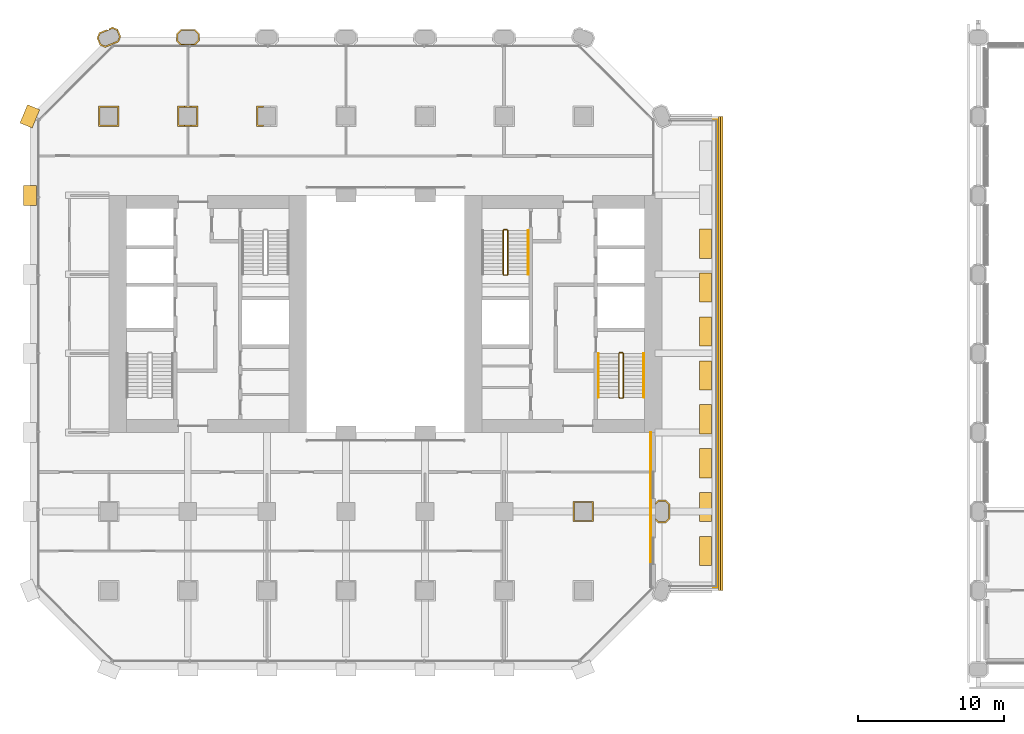
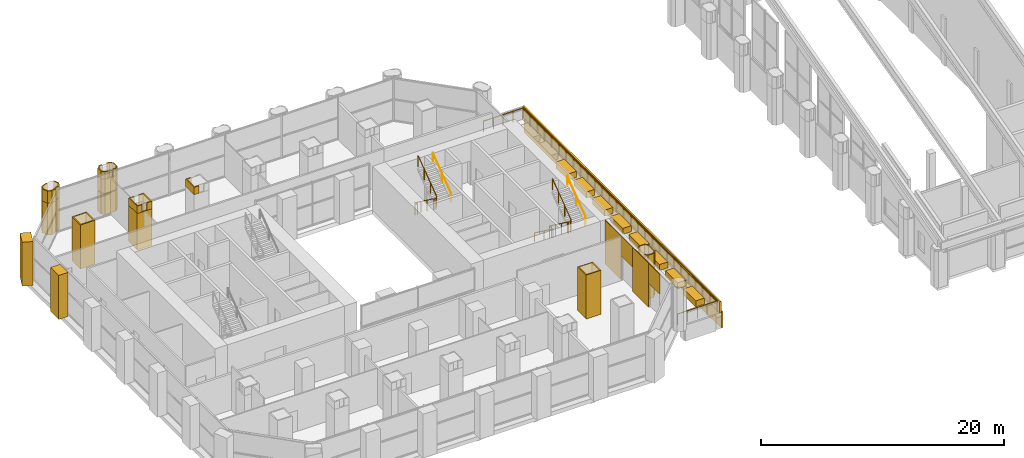
# One storey, part 37 of 42: 29 coverings, 6 railings.
"""IFC4 building model written with IfcOpenShell, lengths in metres."""

import ifcopenshell
import ifcopenshell.guid

model = None  # the IFC model being written
_history = None  # IfcOwnerHistory: only IFC2X3 demands one
_inside = {}  # id of a spatial element -> (the spatial element, [elements in it])
_under = {}  # id of a project, library or spatial element -> (it, [spatial elements below it])
_declared = {}  # id of a project -> (the project, [libraries it declares])
_typed = {}  # id of a type object -> (the type object, [elements of that type])
_made_of = {}  # id of a material, layer set ... -> (it, [elements and type objects made of it])


def new_model(schema):
    """Start an empty IFC model of exactly this schema.

    Asked for "IFC4X3", IfcOpenShell would pick the latest addendum, in which some entities
    have other attributes; the version numbers below select the first issue.
    IFC2X3 requires an IfcOwnerHistory on every rooted entity: one is made here for all.
    """
    global model, _history
    if schema == "IFC4X3":
        model = ifcopenshell.file(schema_version=(4, 3, 0, 0))
    else:
        model = ifcopenshell.file(schema=schema)
    _inside.clear()
    _under.clear()
    _declared.clear()
    _typed.clear()
    _made_of.clear()
    _history = None
    if model.schema == "IFC2X3":
        org = make("IfcOrganization", Name="unknown")
        user = make(
            "IfcPersonAndOrganization",
            ThePerson=make("IfcPerson", FamilyName="unknown"),
            TheOrganization=org,
        )
        app = make(
            "IfcApplication",
            ApplicationDeveloper=org,
            Version="unknown",
            ApplicationFullName="unknown",
            ApplicationIdentifier="unknown",
        )
        _history = make(
            "IfcOwnerHistory",
            OwningUser=user,
            OwningApplication=app,
            ChangeAction="ADDED",
            CreationDate=0,
        )
    return model


def make(cls, **values):
    """One entity of the class cls with the attributes given. An attribute that is None is left unset."""
    return model.create_entity(
        cls, **{name: value for name, value in values.items() if value is not None}
    )


def rooted(cls, **values):
    """An entity with a GlobalId (a new one), such as an element, a storey or a relation."""
    return make(cls, GlobalId=ifcopenshell.guid.new(), OwnerHistory=_history, **values)


def si_unit(unit_type, name, prefix=None):
    """IfcSIUnit, for example si_unit("LENGTHUNIT", "METRE", prefix="MILLI")."""
    return make("IfcSIUnit", UnitType=unit_type, Prefix=prefix, Name=name)


def assignment(units):
    """IfcUnitAssignment: the units of a project."""
    return None if units is None else make("IfcUnitAssignment", Units=units)


def point(xyz):
    """IfcCartesianPoint."""
    return None if xyz is None else make("IfcCartesianPoint", Coordinates=xyz)


def direction(xyz):
    """IfcDirection."""
    return None if xyz is None else make("IfcDirection", DirectionRatios=xyz)


def frame(location, z_axis=None, x_axis=None):
    """IfcAxis2Placement3D, a coordinate frame: its origin and axes. An axis left out is left unset."""
    return make(
        "IfcAxis2Placement3D",
        Location=point(location),
        Axis=direction(z_axis),
        RefDirection=direction(x_axis),
    )


def frame_2d(location, x_axis=None):
    """IfcAxis2Placement2D, a coordinate frame in the plane: its origin and x axis."""
    return make(
        "IfcAxis2Placement2D", Location=point(location), RefDirection=direction(x_axis)
    )


def origin():
    """The frame at (0, 0, 0) with its axes left unset."""
    return frame((0.0, 0.0, 0.0))


def origin_2d():
    """The frame at (0, 0) in the plane with its x axis left unset."""
    return frame_2d((0.0, 0.0))


def place(relative_to, where):
    """IfcLocalPlacement: puts the frame where relative to a parent placement (None: the world)."""
    return make(
        "IfcLocalPlacement", PlacementRelTo=relative_to, RelativePlacement=where
    )


def context(
    kind, dimensions, precision=None, world=None, true_north=None, identifier=None
):
    """IfcGeometricRepresentationContext, for example the 3D "Model" context."""
    return make(
        "IfcGeometricRepresentationContext",
        ContextIdentifier=identifier,
        ContextType=kind,
        CoordinateSpaceDimension=dimensions,
        Precision=precision,
        WorldCoordinateSystem=world,
        TrueNorth=true_north,
    )


def subcontext(parent, identifier, kind, view, scale=None):
    """IfcGeometricRepresentationSubContext, for example "Body" below "Model"."""
    return make(
        "IfcGeometricRepresentationSubContext",
        ContextIdentifier=identifier,
        ContextType=kind,
        ParentContext=parent,
        TargetScale=scale,
        TargetView=view,
    )


def project(units=None, contexts=None):
    """IfcProject with its units and contexts."""
    return rooted(
        "IfcProject",
        Name="project",
        RepresentationContexts=contexts,
        UnitsInContext=assignment(units),
    )


def spatial(cls, under=None, at=None, **own):
    """A site, building, storey or space (cls), placed at a placement, below another one or the project."""
    s = rooted(cls, ObjectPlacement=at, **own)
    if under is not None:
        _under.setdefault(under.id(), (under, []))[1].append(s)
    return s


def polyline(points):
    """IfcPolyline through the points."""
    return make("IfcPolyline", Points=[point(p) for p in points])


def profile(cls, at=None, kind="AREA", **sizes):
    """A parametric profile (cls). Its sizes go by their IFC names, for example OverallWidth=200.0."""
    return make(cls, ProfileType=kind, Position=at, **sizes)


def rectangle(**sizes):
    """IfcRectangleProfileDef."""
    return profile("IfcRectangleProfileDef", **sizes)


def circle(**sizes):
    """IfcCircleProfileDef."""
    return profile("IfcCircleProfileDef", **sizes)


def outline(outer, holes=None, kind="AREA"):
    """IfcArbitraryClosedProfileDef: a profile drawn as a closed curve; with holes, ...WithVoids."""
    if holes is None:
        return make("IfcArbitraryClosedProfileDef", ProfileType=kind, OuterCurve=outer)
    return make(
        "IfcArbitraryProfileDefWithVoids",
        ProfileType=kind,
        OuterCurve=outer,
        InnerCurves=holes,
    )


def extrude(swept, where, along, depth):
    """IfcExtrudedAreaSolid: the profile swept, set in the frame where, extruded along a direction by depth."""
    return make(
        "IfcExtrudedAreaSolid",
        SweptArea=swept,
        Position=where,
        ExtrudedDirection=direction(along),
        Depth=depth,
    )


def shape(context_of_items, identifier, shape_type, items):
    """IfcShapeRepresentation: the items that make up one representation, for example the "Body"."""
    return make(
        "IfcShapeRepresentation",
        ContextOfItems=context_of_items,
        RepresentationIdentifier=identifier,
        RepresentationType=shape_type,
        Items=items,
    )


def material(Name=None, Category=None):
    """IfcMaterial."""
    return make("IfcMaterial", Name=Name, Category=Category)


def layer(
    of_material, thickness, ventilated=None, Name=None, Category=None, Priority=None
):
    """IfcMaterialLayer: one layer of a wall or slab, of a material (None: an air gap)."""
    return make(
        "IfcMaterialLayer",
        Material=of_material,
        LayerThickness=thickness,
        IsVentilated=ventilated,
        Name=Name,
        Category=Category,
        Priority=Priority,
    )


def layer_set(layers, Name=None):
    """IfcMaterialLayerSet."""
    return make("IfcMaterialLayerSet", MaterialLayers=layers, LayerSetName=Name)


def made_of(thing, what):
    """Note that an element or type object is made of a material, layer set ...; save() writes the relation."""
    if what is not None:
        _made_of.setdefault(what.id(), (what, []))[1].append(thing)
    return thing


def type_object(cls, material=None, **own):
    """A type object (cls), such as IfcWallType, which elements share."""
    return made_of(rooted(cls, **own), material)


def element(
    cls,
    number,
    at=None,
    inside=None,
    cuts=None,
    type_object=None,
    material=None,
    context=None,
    identifier="Body",
    shape_type=None,
    held_by="IfcProductDefinitionShape",
    body=None,
    shapes=None,
    **own,
):
    """One element of the class cls, such as IfcWall. Its Tag is "e" and its number.

    at: its placement. inside: the storey or other place that contains it. cuts: it is an
    opening in that element (IfcRelVoidsElement). A single representation is given by context,
    identifier, shape_type and body (its items); several are given by shapes. held_by: the class
    of the entity that holds the representations. save() writes the other relations.
    """
    e = rooted(cls, Tag="e%d" % number, ObjectPlacement=at, **own)
    if body is not None:
        shapes = [shape(context, identifier, shape_type, body)]
    if shapes is not None:
        e.Representation = make(held_by, Representations=shapes)
    if inside is not None:
        _inside.setdefault(inside.id(), (inside, []))[1].append(e)
    if cuts is not None:
        rooted(
            "IfcRelVoidsElement", RelatingBuildingElement=cuts, RelatedOpeningElement=e
        )
    if type_object is not None:
        _typed.setdefault(type_object.id(), (type_object, []))[1].append(e)
    return made_of(e, material)


def aggregate(whole, parts):
    """IfcRelAggregates: a whole, such as a stair, and the parts it consists of."""
    return rooted("IfcRelAggregates", RelatingObject=whole, RelatedObjects=parts)


def save(model, path):
    """Write the relations noted so far, then the file.

    IfcRelAggregates (storeys below a building ...), IfcRelContainedInSpatialStructure (elements
    in a storey), IfcRelDefinesByType, IfcRelAssociatesMaterial and IfcRelDeclares: one each for
    every whole, place, type object, material and project.
    """
    for whole, parts in _under.values():
        aggregate(whole, parts)
    for where, things in _inside.values():
        rooted(
            "IfcRelContainedInSpatialStructure",
            RelatedElements=things,
            RelatingStructure=where,
        )
    for kind, things in _typed.values():
        rooted("IfcRelDefinesByType", RelatedObjects=things, RelatingType=kind)
    for what, things in _made_of.values():
        rooted("IfcRelAssociatesMaterial", RelatedObjects=things, RelatingMaterial=what)
    for by, libraries in _declared.values():
        rooted("IfcRelDeclares", RelatingContext=by, RelatedDefinitions=libraries)
    model.write(path)


model = new_model("IFC4")

# Units and contexts
model_context = context("Model", 3, precision=1e-05, world=origin(), true_north=direction((0.0, 1.0)))
body_context = subcontext(model_context, "Body", "Model", "MODEL_VIEW")
ifc_project = project(units=[si_unit("LENGTHUNIT", "METRE"), si_unit("AREAUNIT", "SQUARE_METRE"), si_unit("VOLUMEUNIT", "CUBIC_METRE"), si_unit("PLANEANGLEUNIT", "RADIAN"), si_unit("MASSUNIT", "GRAM", prefix="KILO")], contexts=[model_context])

# Site, building, storey
site_placement = place(None, origin())
site = spatial("IfcSite", under=ifc_project, at=site_placement, CompositionType="ELEMENT")
building_placement = place(site_placement, origin())
building = spatial("IfcBuilding", under=site, at=building_placement, Name="Tabaq Tower and Sports Hall", CompositionType="ELEMENT")
storey_placement = place(building_placement, frame((0.0, 0.0, 19.800048828125)))
storey = spatial("IfcBuildingStorey", under=building, at=storey_placement, Name="L03", CompositionType="ELEMENT", Elevation=19.800048828125)

# Coverings
ifc_material_1 = material(Name="Precast concrete C60/75", Category="concrete")
ifc_layer_1 = layer(ifc_material_1, 0.10009765625)
ifc_layer_set_1 = layer_set([ifc_layer_1], Name="Column cladding 100")
covering_type_1 = type_object("IfcCoveringType", Name="Column cladding 100", PredefinedType="CLADDING", material=ifc_layer_set_1)
covering_1_placement = place(storey_placement, origin())
element("IfcCovering", 1, at=covering_1_placement, inside=storey, type_object=covering_type_1, Name="Column cladding L03 CC-2H-P", PredefinedType="CLADDING", context=body_context, shape_type="SweptSolid", body=[
    extrude(outline(polyline([(4.7001953125, 38.499755859375), (6.099609375, 38.499755859375), (6.099609375, 37.100341796875), (4.7001953125, 37.100341796875), (4.7001953125, 38.499755859375)]), holes=[polyline([(6.000244140625, 37.19970703125), (6.000244140625, 38.400390625), (4.7998046875, 38.400390625), (4.7998046875, 37.19970703125), (6.000244140625, 37.19970703125)])]), origin(), (0.0, 0.0, 1.0), 4.39990234375),
])
covering_2_placement = place(storey_placement, origin())
element("IfcCovering", 2, at=covering_2_placement, inside=storey, type_object=covering_type_1, Name="Column cladding L03 PC-2I-P", PredefinedType="CLADDING", context=body_context, shape_type="SweptSolid", body=[
    extrude(outline(polyline([(4.582275390625, 43.149658203125), (4.73583984375, 43.519775390625), (5.248291015625, 43.732177734375), (5.249755859375, 43.69677734375), (5.249755859375, 43.696533203125), (5.400390625, 43.696533203125), (5.400390625, 43.795166015625), (5.6435546875, 43.895751953125), (6.013916015625, 43.742431640625), (6.217529296875, 43.25048828125), (6.064208984375, 42.880126953125), (5.60595703125, 42.690185546875), (5.586181640625, 42.690185546875), (5.586181640625, 42.68212890625), (5.156494140625, 42.504150390625), (4.7861328125, 42.657470703125), (4.582275390625, 43.149658203125)]), holes=[polyline([(6.110107421875, 43.25048828125), (5.937744140625, 43.66650390625), (5.6435546875, 43.788330078125), (4.811767578125, 43.44384765625), (4.68994140625, 43.149658203125), (4.8623046875, 42.733642578125), (5.156494140625, 42.61181640625), (5.98828125, 42.956298828125), (6.110107421875, 43.25048828125)])]), origin(), (0.0, 0.0, 1.0), 3.199951171875),
])
covering_3_placement = place(storey_placement, frame((0.0, 0.0, 3.199951171875)))
element("IfcCovering", 3, at=covering_3_placement, inside=storey, type_object=covering_type_1, Name="Column cladding L03 PC-2I-P head", PredefinedType="CLADDING", context=body_context, shape_type="SweptSolid", body=[
    extrude(outline(polyline([(4.73583984375, 43.519775390625), (5.248291015625, 43.732177734375), (5.249755859375, 43.69677734375), (5.249755859375, 43.696533203125), (5.399658203125, 43.696533203125), (5.399658203125, 43.687255859375), (4.811767578125, 43.44384765625), (4.68994140625, 43.149658203125), (4.8623046875, 42.733642578125), (5.156494140625, 42.61181640625), (5.98828125, 42.956298828125), (6.110107421875, 43.25048828125), (5.944580078125, 43.649658203125), (6.000244140625, 43.649658203125), (6.000244140625, 43.748046875), (6.013916015625, 43.742431640625), (6.217529296875, 43.25048828125), (6.064208984375, 42.880126953125), (5.60595703125, 42.690185546875), (5.586181640625, 42.690185546875), (5.586181640625, 42.68212890625), (5.156494140625, 42.504150390625), (4.7861328125, 42.657470703125), (4.582275390625, 43.149658203125), (4.73583984375, 43.519775390625)])), origin(), (0.0, 0.0, 1.0), 1.199951171875),
])
covering_4_placement = place(storey_placement, origin())
element("IfcCovering", 4, at=covering_4_placement, inside=storey, type_object=covering_type_1, Name="Column cladding L03 CC-3H-P", PredefinedType="CLADDING", context=body_context, shape_type="SweptSolid", body=[
    extrude(outline(polyline([(10.100341796875, 38.499755859375), (11.499755859375, 38.499755859375), (11.499755859375, 37.100341796875), (10.100341796875, 37.100341796875), (10.100341796875, 38.499755859375)]), holes=[polyline([(11.400390625, 37.19970703125), (11.400390625, 38.400390625), (10.19970703125, 38.400390625), (10.19970703125, 37.19970703125), (11.400390625, 37.19970703125)])]), origin(), (0.0, 0.0, 1.0), 3.64990234375),
])
covering_5_placement = place(storey_placement, frame((0.0, 0.0, 3.64990234375)))
element("IfcCovering", 5, at=covering_5_placement, inside=storey, type_object=covering_type_1, Name="Column cladding L03 CC-3H-P head", PredefinedType="CLADDING", context=body_context, shape_type="SweptSolid", body=[
    extrude(outline(polyline([(10.57470703125, 38.499755859375), (10.57470703125, 38.400390625), (10.19970703125, 38.400390625), (10.19970703125, 37.19970703125), (10.57470703125, 37.19970703125), (10.57470703125, 37.100341796875), (10.100341796875, 37.100341796875), (10.100341796875, 38.499755859375), (10.57470703125, 38.499755859375)])), origin(), (0.0, 0.0, 1.0), 0.75),
])
covering_6_placement = place(storey_placement, frame((0.0, 0.0, 3.64990234375)))
element("IfcCovering", 6, at=covering_6_placement, inside=storey, type_object=covering_type_1, Name="Column cladding L03 CC-3H-P head 2", PredefinedType="CLADDING", context=body_context, shape_type="SweptSolid", body=[
    extrude(outline(polyline([(11.499755859375, 38.499755859375), (11.499755859375, 37.100341796875), (11.025390625, 37.100341796875), (11.025390625, 37.19970703125), (11.400390625, 37.19970703125), (11.400390625, 38.400390625), (11.025390625, 38.400390625), (11.025390625, 38.499755859375), (11.499755859375, 38.499755859375)])), origin(), (0.0, 0.0, 1.0), 0.75),
])
covering_7_placement = place(storey_placement, frame((0.0, 0.0, 0.1025390625)))
element("IfcCovering", 7, at=covering_7_placement, inside=storey, type_object=covering_type_1, Name="Column cladding L03 PC-3I-P", PredefinedType="CLADDING", context=body_context, shape_type="SweptSolid", body=[
    extrude(outline(polyline([(10.025390625, 43.46630859375), (10.30859375, 43.749755859375), (11.291259765625, 43.749755859375), (11.57470703125, 43.46630859375), (11.57470703125, 42.93359375), (11.331298828125, 42.690185546875), (10.268798828125, 42.690185546875), (10.025390625, 42.93359375), (10.025390625, 43.46630859375)]), holes=[polyline([(11.475341796875, 42.974853515625), (11.475341796875, 43.425048828125), (11.250244140625, 43.650390625), (10.349853515625, 43.650390625), (10.124755859375, 43.425048828125), (10.124755859375, 42.974853515625), (10.349853515625, 42.749755859375), (11.250244140625, 42.749755859375), (11.475341796875, 42.974853515625)])]), origin(), (0.0, 0.0, 1.0), 2.06494140625),
])
covering_8_placement = place(storey_placement, frame((0.0, 0.0, 2.232421875)))
element("IfcCovering", 8, at=covering_8_placement, inside=storey, type_object=covering_type_1, Name="Column cladding L03 PC-3I-P 2", PredefinedType="CLADDING", context=body_context, shape_type="SweptSolid", body=[
    extrude(outline(polyline([(10.025390625, 43.46630859375), (10.30859375, 43.749755859375), (11.291259765625, 43.749755859375), (11.57470703125, 43.46630859375), (11.57470703125, 42.93359375), (11.331298828125, 42.690185546875), (10.268798828125, 42.690185546875), (10.025390625, 42.93359375), (10.025390625, 43.46630859375)]), holes=[polyline([(11.475341796875, 42.974853515625), (11.475341796875, 43.425048828125), (11.250244140625, 43.650390625), (10.349853515625, 43.650390625), (10.124755859375, 43.425048828125), (10.124755859375, 42.974853515625), (10.349853515625, 42.749755859375), (11.250244140625, 42.749755859375), (11.475341796875, 42.974853515625)])]), origin(), (0.0, 0.0, 1.0), 1.41748046875),
])
covering_9_placement = place(storey_placement, frame((0.0, 0.0, 3.64990234375)))
element("IfcCovering", 9, at=covering_9_placement, inside=storey, type_object=covering_type_1, Name="Column cladding L03 PC-3I-P head", PredefinedType="CLADDING", context=body_context, shape_type="SweptSolid", body=[
    extrude(outline(polyline([(10.30859375, 43.749755859375), (10.57470703125, 43.749755859375), (10.57470703125, 43.650390625), (10.349853515625, 43.650390625), (10.124755859375, 43.425048828125), (10.124755859375, 42.974853515625), (10.349853515625, 42.749755859375), (10.57470703125, 42.749755859375), (10.57470703125, 42.690185546875), (10.268798828125, 42.690185546875), (10.025390625, 42.93359375), (10.025390625, 43.46630859375), (10.30859375, 43.749755859375)])), origin(), (0.0, 0.0, 1.0), 0.75),
])
covering_10_placement = place(storey_placement, frame((0.0, 0.0, 3.64990234375)))
element("IfcCovering", 10, at=covering_10_placement, inside=storey, type_object=covering_type_1, Name="Column cladding L03 PC-3I-P head 2", PredefinedType="CLADDING", context=body_context, shape_type="SweptSolid", body=[
    extrude(outline(polyline([(11.291259765625, 43.749755859375), (11.57470703125, 43.46630859375), (11.57470703125, 42.93359375), (11.331298828125, 42.690185546875), (11.025390625, 42.690185546875), (11.025390625, 42.749755859375), (11.250244140625, 42.749755859375), (11.475341796875, 42.974853515625), (11.475341796875, 43.425048828125), (11.250244140625, 43.650390625), (11.025390625, 43.650390625), (11.025390625, 43.749755859375), (11.291259765625, 43.749755859375)])), origin(), (0.0, 0.0, 1.0), 0.75),
])
covering_11_placement = place(storey_placement, frame((0.0, 0.0, 3.64990234375)))
element("IfcCovering", 11, at=covering_11_placement, inside=storey, type_object=covering_type_1, Name="Column cladding L03 CC-4H-P head 2", PredefinedType="CLADDING", context=body_context, shape_type="SweptSolid", body=[
    extrude(outline(polyline([(15.974609375, 38.499755859375), (15.974609375, 38.400390625), (15.599609375, 38.400390625), (15.599609375, 37.19970703125), (15.974609375, 37.19970703125), (15.974609375, 37.100341796875), (15.500244140625, 37.100341796875), (15.500244140625, 38.499755859375), (15.974609375, 38.499755859375)])), origin(), (0.0, 0.0, 1.0), 0.75),
])
covering_12_placement = place(storey_placement, origin())
element("IfcCovering", 12, at=covering_12_placement, inside=storey, type_object=covering_type_1, Name="Column cladding L03 CC-8C-P", PredefinedType="CLADDING", context=body_context, shape_type="SweptSolid", body=[
    extrude(outline(polyline([(37.100341796875, 11.499755859375), (38.499755859375, 11.499755859375), (38.499755859375, 10.100341796875), (37.100341796875, 10.100341796875), (37.100341796875, 11.499755859375)]), holes=[polyline([(38.400390625, 10.19970703125), (38.400390625, 11.400390625), (37.19970703125, 11.400390625), (37.19970703125, 10.19970703125), (38.400390625, 10.19970703125)])]), origin(), (0.0, 0.0, 1.0), 4.39990234375),
])
covering_13_placement = place(storey_placement, origin())
element("IfcCovering", 13, at=covering_13_placement, inside=storey, type_object=covering_type_1, Name="Column cladding L03 PC-9C-P", PredefinedType="CLADDING", context=body_context, shape_type="SweptSolid", body=[
    extrude(outline(polyline([(42.93359375, 10.025390625), (42.750244140625, 10.208740234375), (42.750244140625, 10.349365234375), (42.974853515625, 10.124755859375), (43.425048828125, 10.124755859375), (43.650390625, 10.349853515625), (43.650390625, 11.250244140625), (43.425048828125, 11.475341796875), (42.974853515625, 11.475341796875), (42.750244140625, 11.250732421875), (42.750244140625, 11.391357421875), (42.93359375, 11.57470703125), (43.46630859375, 11.57470703125), (43.749755859375, 11.291259765625), (43.749755859375, 10.30859375), (43.46630859375, 10.025390625), (42.93359375, 10.025390625)])), origin(), (0.0, 0.0, 1.0), 4.39990234375),
])

# Railing
ifc_material_2 = material(Name="Stainless steel S316 and laminated glass", Category="steel")
railing_type_1 = type_object("IfcRailingType", Name="Guard 1100 steel and glass", PredefinedType="GUARDRAIL", material=ifc_material_2)
railing_1_placement = place(storey_placement, frame((43.199951171875, 5.64990234375, 0.0)))
element("IfcRailing", 14, at=railing_1_placement, inside=storey, type_object=railing_type_1, Name="Tray guard L03", PredefinedType="GUARDRAIL", context=body_context, shape_type="SweptSolid", body=[
    extrude(circle(Radius=0.02490234375, at=origin_2d()), frame((0.0, 0.0, 1.0751953125), z_axis=(1.0, 0.0, 0.0), x_axis=(0.0, 1.0, 0.0)), (0.0, 0.0, 1.0), 3.75),
    extrude(circle(Radius=0.02490234375, at=origin_2d()), frame((3.75, 0.0, 1.0751953125), z_axis=(0.0, 1.0, 0.0), x_axis=(-1.0, 0.0, 0.0)), (0.0, 0.0, 1.0), 31.900146484375),
    extrude(circle(Radius=0.02490234375, at=origin_2d()), frame((3.75, 31.900146484375, 1.0751953125), z_axis=(-1.0, 0.0, 0.0), x_axis=(0.0, -1.0, 0.0)), (0.0, 0.0, 1.0), 3.75),
    extrude(circle(Radius=0.02001953125, at=origin_2d()), origin(), (0.0, 0.0, 1.0), 1.050048828125),
    extrude(circle(Radius=0.02001953125, at=origin_2d()), frame((0.9375, 0.0, 0.0)), (0.0, 0.0, 1.0), 1.050048828125),
    extrude(circle(Radius=0.02001953125, at=origin_2d()), frame((1.875, 0.0, 0.0)), (0.0, 0.0, 1.0), 1.050048828125),
    extrude(circle(Radius=0.02001953125, at=origin_2d()), frame((2.8125, 0.0, 0.0)), (0.0, 0.0, 1.0), 1.050048828125),
    extrude(circle(Radius=0.02001953125, at=origin_2d()), frame((3.75, 0.0, 0.0)), (0.0, 0.0, 1.0), 1.050048828125),
    extrude(circle(Radius=0.02001953125, at=origin_2d()), frame((3.75, 1.181396484375, 0.0)), (0.0, 0.0, 1.0), 1.050048828125),
    extrude(circle(Radius=0.02001953125, at=origin_2d()), frame((3.75, 2.363037109375, 0.0)), (0.0, 0.0, 1.0), 1.050048828125),
    extrude(circle(Radius=0.02001953125, at=origin_2d()), frame((3.75, 3.54443359375, 0.0)), (0.0, 0.0, 1.0), 1.050048828125),
    extrude(circle(Radius=0.02001953125, at=origin_2d()), frame((3.75, 4.725830078125, 0.0)), (0.0, 0.0, 1.0), 1.050048828125),
    extrude(circle(Radius=0.02001953125, at=origin_2d()), frame((3.75, 5.907470703125, 0.0)), (0.0, 0.0, 1.0), 1.050048828125),
    extrude(circle(Radius=0.02001953125, at=origin_2d()), frame((3.75, 7.0888671875, 0.0)), (0.0, 0.0, 1.0), 1.050048828125),
    extrude(circle(Radius=0.02001953125, at=origin_2d()), frame((3.75, 8.2705078125, 0.0)), (0.0, 0.0, 1.0), 1.050048828125),
    extrude(circle(Radius=0.02001953125, at=origin_2d()), frame((3.75, 9.451904296875, 0.0)), (0.0, 0.0, 1.0), 1.050048828125),
    extrude(circle(Radius=0.02001953125, at=origin_2d()), frame((3.75, 10.63330078125, 0.0)), (0.0, 0.0, 1.0), 1.050048828125),
    extrude(circle(Radius=0.02001953125, at=origin_2d()), frame((3.75, 11.81494140625, 0.0)), (0.0, 0.0, 1.0), 1.050048828125),
    extrude(circle(Radius=0.02001953125, at=origin_2d()), frame((3.75, 12.996337890625, 0.0)), (0.0, 0.0, 1.0), 1.050048828125),
    extrude(circle(Radius=0.02001953125, at=origin_2d()), frame((3.75, 14.177734375, 0.0)), (0.0, 0.0, 1.0), 1.050048828125),
    extrude(circle(Radius=0.02001953125, at=origin_2d()), frame((3.75, 15.359375, 0.0)), (0.0, 0.0, 1.0), 1.050048828125),
    extrude(circle(Radius=0.02001953125, at=origin_2d()), frame((3.75, 16.540771484375, 0.0)), (0.0, 0.0, 1.0), 1.050048828125),
    extrude(circle(Radius=0.02001953125, at=origin_2d()), frame((3.75, 17.722412109375, 0.0)), (0.0, 0.0, 1.0), 1.050048828125),
    extrude(circle(Radius=0.02001953125, at=origin_2d()), frame((3.75, 18.90380859375, 0.0)), (0.0, 0.0, 1.0), 1.050048828125),
    extrude(circle(Radius=0.02001953125, at=origin_2d()), frame((3.75, 20.085205078125, 0.0)), (0.0, 0.0, 1.0), 1.050048828125),
    extrude(circle(Radius=0.02001953125, at=origin_2d()), frame((3.75, 21.266845703125, 0.0)), (0.0, 0.0, 1.0), 1.050048828125),
    extrude(circle(Radius=0.02001953125, at=origin_2d()), frame((3.75, 22.4482421875, 0.0)), (0.0, 0.0, 1.0), 1.050048828125),
    extrude(circle(Radius=0.02001953125, at=origin_2d()), frame((3.75, 23.629638671875, 0.0)), (0.0, 0.0, 1.0), 1.050048828125),
    extrude(circle(Radius=0.02001953125, at=origin_2d()), frame((3.75, 24.811279296875, 0.0)), (0.0, 0.0, 1.0), 1.050048828125),
    extrude(circle(Radius=0.02001953125, at=origin_2d()), frame((3.75, 25.99267578125, 0.0)), (0.0, 0.0, 1.0), 1.050048828125),
    extrude(circle(Radius=0.02001953125, at=origin_2d()), frame((3.75, 27.17431640625, 0.0)), (0.0, 0.0, 1.0), 1.050048828125),
    extrude(circle(Radius=0.02001953125, at=origin_2d()), frame((3.75, 28.355712890625, 0.0)), (0.0, 0.0, 1.0), 1.050048828125),
    extrude(circle(Radius=0.02001953125, at=origin_2d()), frame((3.75, 29.537109375, 0.0)), (0.0, 0.0, 1.0), 1.050048828125),
    extrude(circle(Radius=0.02001953125, at=origin_2d()), frame((3.75, 30.71875, 0.0)), (0.0, 0.0, 1.0), 1.050048828125),
    extrude(circle(Radius=0.02001953125, at=origin_2d()), frame((3.75, 31.900146484375, 0.0)), (0.0, 0.0, 1.0), 1.050048828125),
    extrude(circle(Radius=0.02001953125, at=origin_2d()), frame((2.8125, 31.900146484375, 0.0)), (0.0, 0.0, 1.0), 1.050048828125),
    extrude(circle(Radius=0.02001953125, at=origin_2d()), frame((1.875, 31.900146484375, 0.0)), (0.0, 0.0, 1.0), 1.050048828125),
    extrude(circle(Radius=0.02001953125, at=origin_2d()), frame((0.9375, 31.900146484375, 0.0)), (0.0, 0.0, 1.0), 1.050048828125),
    extrude(circle(Radius=0.02001953125, at=origin_2d()), frame((0.0, 31.900146484375, 0.0)), (0.0, 0.0, 1.0), 1.050048828125),
])

# Coverings
ifc_material_3 = material(Name="White precast concrete C60/75", Category="concrete")
covering_type_2 = type_object("IfcCoveringType", Name="Pier cladding hung 1350x900", PredefinedType="CLADDING", material=ifc_material_3)
covering_14_placement = place(storey_placement, frame((0.0, 33.074951171875, 0.0), z_axis=(0.0, 0.0, 1.0), x_axis=(0.0, -1.0, 0.0)))
element("IfcCovering", 15, at=covering_14_placement, inside=storey, type_object=covering_type_2, Name="Hung pier cladding 0/6", PredefinedType="CLADDING", context=body_context, shape_type="SweptSolid", body=[
    extrude(rectangle(XDim=1.349853515625, YDim=0.89990234375, at=frame_2d((0.6748046875, 0.0))), origin(), (0.0, 0.0, 1.0), 4.39990234375),
])
covering_15_placement = place(storey_placement, frame((0.25830078125, 38.423583984375, 0.0), z_axis=(0.0, 0.0, 1.0), x_axis=(-0.382649923473, -0.923893411637, 0.0)))
element("IfcCovering", 16, at=covering_15_placement, inside=storey, type_object=covering_type_2, Name="Hung pier cladding 0/7", PredefinedType="CLADDING", context=body_context, shape_type="SweptSolid", body=[
    extrude(rectangle(XDim=1.35009765625, YDim=0.89990234375, at=frame_2d((0.675048828125, 0.0))), origin(), (0.0, 0.0, 1.0), 4.39990234375),
])
ifc_material_4 = material(Name="Planting soil and drainage layer")
covering_type_3 = type_object("IfcCoveringType", Name="Planter 2000x800x600", PredefinedType="USERDEFINED", material=ifc_material_4)
for number, where, z_axis, x_axis, name in (
    (17, (46.169921875, 8.10009765625, 0.0), (0.0, 0.0, 1.0), (0.0, 1.0, 0.0), "Planter L03"),
    (18, (46.169921875, 11.10009765625, 0.0), (0.0, 0.0, 1.0), (0.0, 1.0, 0.0), "Planter L03"),
    (19, (46.169921875, 14.10009765625, 0.0), (0.0, 0.0, 1.0), (0.0, 1.0, 0.0), "Planter L03"),
    (20, (46.169921875, 17.10009765625, 0.0), (0.0, 0.0, 1.0), (0.0, 1.0, 0.0), "Planter L03"),
    (21, (46.169921875, 20.10009765625, 0.0), (0.0, 0.0, 1.0), (0.0, 1.0, 0.0), "Planter L03"),
    (22, (46.169921875, 23.10009765625, 0.0), (0.0, 0.0, 1.0), (0.0, 1.0, 0.0), "Planter L03"),
    (23, (46.169921875, 26.10009765625, 0.0), (0.0, 0.0, 1.0), (0.0, 1.0, 0.0), "Planter L03"),
    (24, (46.169921875, 29.10009765625, 0.0), (0.0, 0.0, 1.0), (0.0, 1.0, 0.0), "Planter L03"),
):
    element("IfcCovering", number, at=place(storey_placement, frame(where, z_axis=z_axis, x_axis=x_axis)), inside=storey, type_object=covering_type_3, Name=name, ObjectType="PLANTER", PredefinedType="USERDEFINED", context=body_context, shape_type="SweptSolid", body=[
        extrude(rectangle(XDim=2.0, YDim=0.800048828125, at=origin_2d()), origin(), (0.0, 0.0, 1.0), 0.60009765625),
    ])

# Railings
ifc_material_5 = material(Name="Stainless steel", Category="steel")
railing_type_2 = type_object("IfcRailingType", Name="Stair guard", PredefinedType="GUARDRAIL", material=ifc_material_5)
railing_2_placement = place(storey_placement, frame((40.5, 21.64990234375, 0.0)))
element("IfcRailing", 25, at=railing_2_placement, inside=storey, type_object=railing_type_2, Name="L03 ST3 stair guard 1", PredefinedType="GUARDRAIL", context=body_context, shape_type="SweptSolid", body=[
    extrude(circle(Radius=0.02392578125, at=origin_2d()), frame((0.0, 0.0, 1.076171875), z_axis=(-1.0, 0.0, 0.0), x_axis=(0.0, -1.0, 0.0)), (0.0, 0.0, 1.0), 0.199951171875),
    extrude(circle(Radius=0.02392578125, at=origin_2d()), frame((-0.199951171875, 0.0, 1.076171875), z_axis=(-0.253264628505, -0.252029191293, 0.933990532438), x_axis=(0.705375805398, -0.708833529934, 0.0)), (0.0, 0.0, 1.0), 0.197509765625),
    extrude(circle(Radius=0.02392578125, at=origin_2d()), frame((-0.25, -0.0498046875, 1.2607421875), z_axis=(0.0, -0.804440004972, 0.594033903411), x_axis=(1.0, 0.0, 0.0)), (0.0, 0.0, 1.0), 3.729248046875),
    extrude(circle(Radius=0.02392578125, at=origin_2d()), frame((-0.25, -3.0498046875, 3.47607421875), z_axis=(0.707106781187, -0.707106781187, 0.0), x_axis=(0.707106781187, 0.707106781187, 0.0)), (0.0, 0.0, 1.0), 0.07080078125),
    extrude(circle(Radius=0.02392578125, at=origin_2d()), frame((-0.199951171875, -3.099853515625, 3.47607421875), z_axis=(1.0, 0.0, 0.0), x_axis=(0.0, 1.0, 0.0)), (0.0, 0.0, 1.0), 0.199951171875),
    extrude(circle(Radius=0.02392578125, at=origin_2d()), frame((0.0, -3.099853515625, 3.47607421875), z_axis=(0.253185614162, 0.253185614162, 0.933699142959), x_axis=(-0.707106781187, 0.707106781187, 0.0)), (0.0, 0.0, 1.0), 0.19775390625),
    extrude(circle(Radius=0.02392578125, at=origin_2d()), frame((0.050048828125, -3.0498046875, 3.66064453125), z_axis=(0.0, 0.804408721428, 0.594076265214), x_axis=(-1.0, 0.0, 0.0)), (0.0, 0.0, 1.0), 3.7294921875),
    extrude(circle(Radius=0.02099609375, at=origin_2d()), origin(), (0.0, 0.0, 1.0), 1.052001953125),
    extrude(circle(Radius=0.02099609375, at=origin_2d()), frame((-0.199951171875, 0.0, 0.0)), (0.0, 0.0, 1.0), 1.052001953125),
    extrude(circle(Radius=0.02099609375, at=origin_2d()), frame((-0.25, -0.0498046875, 0.1845703125)), (0.0, 0.0, 1.0), 1.052001953125),
    extrude(circle(Radius=0.02099609375, at=origin_2d()), frame((-0.25, -1.0498046875, 0.923095703125)), (0.0, 0.0, 1.0), 1.052001953125),
    extrude(circle(Radius=0.02099609375, at=origin_2d()), frame((-0.25, -2.0498046875, 1.661376953125)), (0.0, 0.0, 1.0), 1.052001953125),
    extrude(circle(Radius=0.02099609375, at=origin_2d()), frame((-0.25, -3.0498046875, 2.39990234375)), (0.0, 0.0, 1.0), 1.052001953125),
    extrude(circle(Radius=0.02099609375, at=origin_2d()), frame((-0.199951171875, -3.099853515625, 2.39990234375)), (0.0, 0.0, 1.0), 1.052001953125),
    extrude(circle(Radius=0.02099609375, at=origin_2d()), frame((0.0, -3.099853515625, 2.39990234375)), (0.0, 0.0, 1.0), 1.052001953125),
    extrude(circle(Radius=0.02099609375, at=origin_2d()), frame((0.050048828125, -3.0498046875, 2.58447265625)), (0.0, 0.0, 1.0), 1.052001953125),
    extrude(circle(Radius=0.02099609375, at=origin_2d()), frame((0.050048828125, -2.0498046875, 3.322998046875)), (0.0, 0.0, 1.0), 1.052001953125),
    extrude(circle(Radius=0.02099609375, at=origin_2d()), frame((0.050048828125, -1.0498046875, 4.0615234375)), (0.0, 0.0, 1.0), 1.052001953125),
    extrude(circle(Radius=0.02099609375, at=origin_2d()), frame((0.050048828125, -0.0498046875, 4.800048828125)), (0.0, 0.0, 1.0), 1.052001953125),
])
railing_3_placement = place(storey_placement, frame((32.60009765625, 30.050048828125, 0.0)))
element("IfcRailing", 26, at=railing_3_placement, inside=storey, type_object=railing_type_2, Name="L03 ST4 stair guard 1", PredefinedType="GUARDRAIL", context=body_context, shape_type="SweptSolid", body=[
    extrude(circle(Radius=0.02392578125, at=origin_2d()), frame((0.0, 0.0, 1.076171875), z_axis=(-1.0, 0.0, 0.0), x_axis=(0.0, -1.0, 0.0)), (0.0, 0.0, 1.0), 0.2001953125),
    extrude(circle(Radius=0.02392578125, at=origin_2d()), frame((-0.2001953125, 0.0, 1.076171875), z_axis=(-0.252029191293, -0.253264628505, 0.933990532438), x_axis=(0.708833529934, -0.705375805398, 0.0)), (0.0, 0.0, 1.0), 0.197509765625),
    extrude(circle(Radius=0.02392578125, at=origin_2d()), frame((-0.25, -0.050048828125, 1.2607421875), z_axis=(0.0, -0.804440004972, 0.594033903411), x_axis=(1.0, 0.0, 0.0)), (0.0, 0.0, 1.0), 3.729248046875),
    extrude(circle(Radius=0.02392578125, at=origin_2d()), frame((-0.25, -3.050048828125, 3.47607421875), z_axis=(0.705375805398, -0.708833529934, 0.0), x_axis=(0.708833529934, 0.705375805398, 0.0)), (0.0, 0.0, 1.0), 0.070556640625),
    extrude(circle(Radius=0.02392578125, at=origin_2d()), frame((-0.2001953125, -3.10009765625, 3.47607421875), z_axis=(1.0, 0.0, 0.0), x_axis=(0.0, 1.0, 0.0)), (0.0, 0.0, 1.0), 0.2001953125),
    extrude(circle(Radius=0.02392578125, at=origin_2d()), frame((0.0, -3.10009765625, 3.47607421875), z_axis=(0.252029191293, 0.253264628505, 0.933990532438), x_axis=(-0.708833529934, 0.705375805398, 0.0)), (0.0, 0.0, 1.0), 0.197509765625),
    extrude(circle(Radius=0.02392578125, at=origin_2d()), frame((0.0498046875, -3.050048828125, 3.66064453125), z_axis=(0.0, 0.804408721428, 0.594076265214), x_axis=(-1.0, 0.0, 0.0)), (0.0, 0.0, 1.0), 3.7294921875),
    extrude(circle(Radius=0.02099609375, at=origin_2d()), origin(), (0.0, 0.0, 1.0), 1.052001953125),
    extrude(circle(Radius=0.02099609375, at=origin_2d()), frame((-0.2001953125, 0.0, 0.0)), (0.0, 0.0, 1.0), 1.052001953125),
    extrude(circle(Radius=0.02099609375, at=origin_2d()), frame((-0.25, -0.050048828125, 0.1845703125)), (0.0, 0.0, 1.0), 1.052001953125),
    extrude(circle(Radius=0.02099609375, at=origin_2d()), frame((-0.25, -1.050048828125, 0.923095703125)), (0.0, 0.0, 1.0), 1.052001953125),
    extrude(circle(Radius=0.02099609375, at=origin_2d()), frame((-0.25, -2.050048828125, 1.661376953125)), (0.0, 0.0, 1.0), 1.052001953125),
    extrude(circle(Radius=0.02099609375, at=origin_2d()), frame((-0.25, -3.050048828125, 2.39990234375)), (0.0, 0.0, 1.0), 1.052001953125),
    extrude(circle(Radius=0.02099609375, at=origin_2d()), frame((-0.2001953125, -3.10009765625, 2.39990234375)), (0.0, 0.0, 1.0), 1.052001953125),
    extrude(circle(Radius=0.02099609375, at=origin_2d()), frame((0.0, -3.10009765625, 2.39990234375)), (0.0, 0.0, 1.0), 1.052001953125),
    extrude(circle(Radius=0.02099609375, at=origin_2d()), frame((0.0498046875, -3.050048828125, 2.58447265625)), (0.0, 0.0, 1.0), 1.052001953125),
    extrude(circle(Radius=0.02099609375, at=origin_2d()), frame((0.0498046875, -2.050048828125, 3.322998046875)), (0.0, 0.0, 1.0), 1.052001953125),
    extrude(circle(Radius=0.02099609375, at=origin_2d()), frame((0.0498046875, -1.050048828125, 4.0615234375)), (0.0, 0.0, 1.0), 1.052001953125),
    extrude(circle(Radius=0.02099609375, at=origin_2d()), frame((0.0498046875, -0.050048828125, 4.800048828125)), (0.0, 0.0, 1.0), 1.052001953125),
])
ifc_material_6 = material(Name="Stainless steel", Category="steel")
railing_type_3 = type_object("IfcRailingType", Name="Stair handrail", PredefinedType="HANDRAIL", material=ifc_material_6)
railing_4_placement = place(storey_placement, frame((38.85009765625, 21.60009765625, 0.1845703125)))
element("IfcRailing", 27, at=railing_4_placement, inside=storey, type_object=railing_type_3, Name="L03 ST3 stair handrail 1", PredefinedType="HANDRAIL", context=body_context, shape_type="SweptSolid", body=[
    extrude(circle(Radius=0.02392578125, at=origin_2d()), frame((0.0, 0.0, 0.8759765625), z_axis=(0.0, -0.804440004972, 0.594033903411), x_axis=(1.0, 0.0, 0.0)), (0.0, 0.0, 1.0), 3.729248046875),
    extrude(circle(Radius=0.02099609375, at=origin_2d()), origin(), (0.0, 0.0, 1.0), 0.851806640625),
    extrude(circle(Radius=0.02099609375, at=origin_2d()), frame((0.0, -1.5, 1.107666015625)), (0.0, 0.0, 1.0), 0.851806640625),
    extrude(circle(Radius=0.02099609375, at=origin_2d()), frame((0.0, -3.0, 2.21533203125)), (0.0, 0.0, 1.0), 0.851806640625),
])
for number, where, name in (
    (28, (41.949951171875, 18.60009765625, 2.58447265625), "L03 ST3 stair handrail 2"),
    (29, (34.050048828125, 27.0, 2.58447265625), "L03 ST4 stair handrail 2"),
):
    element("IfcRailing", number, at=place(storey_placement, frame(where)), inside=storey, type_object=railing_type_3, Name=name, PredefinedType="HANDRAIL", context=body_context, shape_type="SweptSolid", body=[
        extrude(circle(Radius=0.02392578125, at=origin_2d()), frame((0.0, 0.0, 0.8759765625), z_axis=(0.0, 0.804408721428, 0.594076265214), x_axis=(-1.0, 0.0, 0.0)), (0.0, 0.0, 1.0), 3.7294921875),
        extrude(circle(Radius=0.02099609375, at=origin_2d()), origin(), (0.0, 0.0, 1.0), 0.851806640625),
        extrude(circle(Radius=0.02099609375, at=origin_2d()), frame((0.0, 1.5, 1.10791015625)), (0.0, 0.0, 1.0), 0.851806640625),
        extrude(circle(Radius=0.02099609375, at=origin_2d()), frame((0.0, 3.0, 2.215576171875)), (0.0, 0.0, 1.0), 0.851806640625),
    ])

# Coverings
ifc_material_7 = material(Name="Precast concrete C60/75", Category="concrete")
ifc_layer_2 = layer(ifc_material_7, 0.14990234375)
ifc_layer_set_2 = layer_set([ifc_layer_2], Name="Tray fascia 1200")
covering_type_4 = type_object("IfcCoveringType", Name="Tray fascia 1200", PredefinedType="CLADDING", material=ifc_layer_set_2)
covering_16_placement = place(storey_placement, frame((47.27490234375, 5.39990234375, -1.60009765625), z_axis=(0.0, 0.0, 1.0), x_axis=(0.0, 1.0, 0.0)))
element("IfcCovering", 30, at=covering_16_placement, inside=storey, type_object=covering_type_4, Name="Tray fascia L03 EBT", PredefinedType="CLADDING", context=body_context, shape_type="SweptSolid", body=[
    extrude(rectangle(XDim=32.400146484375, YDim=0.14990234375, at=frame_2d((16.2001953125, 0.0))), origin(), (0.0, 0.0, 1.0), 1.60009765625),
])
ifc_material_8 = material(Name="Precast concrete C60/75", Category="concrete")
ifc_layer_3 = layer(ifc_material_8, 0.14990234375)
ifc_layer_set_3 = layer_set([ifc_layer_3], Name="Tray upstand cladding 1100")
covering_type_5 = type_object("IfcCoveringType", Name="Tray upstand cladding 1100", PredefinedType="CLADDING", material=ifc_layer_set_3)
covering_17_placement = place(storey_placement, frame((47.125, 5.39990234375, 0.0), z_axis=(0.0, 0.0, 1.0), x_axis=(0.0, 1.0, 0.0)))
element("IfcCovering", 31, at=covering_17_placement, inside=storey, type_object=covering_type_5, Name="Tray upstand cladding L03", PredefinedType="CLADDING", context=body_context, shape_type="SweptSolid", body=[
    extrude(rectangle(XDim=32.400146484375, YDim=0.14990234375, at=frame_2d((16.2001953125, 0.0))), origin(), (0.0, 0.0, 1.0), 1.099853515625),
])
ifc_material_9 = material(Name="Precast concrete C60/75", Category="concrete")
ifc_layer_4 = layer(ifc_material_9, 0.06005859375)
ifc_layer_set_4 = layer_set([ifc_layer_4], Name="White precast cladding panel 60 C60/75")
covering_type_6 = type_object("IfcCoveringType", Name="White precast cladding panel 60 C60/75", PredefinedType="CLADDING", material=ifc_layer_set_4)
covering_18_placement = place(storey_placement, frame((42.419921875, 7.18994140625, 2.409912109375), z_axis=(0.0, 0.0, 1.0), x_axis=(0.0, 1.0, 0.0)))
element("IfcCovering", 32, at=covering_18_placement, inside=storey, type_object=covering_type_6, Name="White precast cladding panel L03 infill02-0-0 2", PredefinedType="CLADDING", context=body_context, shape_type="SweptSolid", body=[
    extrude(rectangle(XDim=1.820068359375, YDim=0.06005859375, at=frame_2d((0.91015625, 0.0))), origin(), (0.0, 0.0, 1.0), 1.989990234375),
])
covering_19_placement = place(storey_placement, frame((42.419921875, 9.010009765625, 0.0), z_axis=(0.0, 0.0, 1.0), x_axis=(0.0, 1.0, 0.0)))
element("IfcCovering", 33, at=covering_19_placement, inside=storey, type_object=covering_type_6, Name="White precast cladding panel L03 infill02-0-0 3", PredefinedType="CLADDING", context=body_context, shape_type="SweptSolid", body=[
    extrude(rectangle(XDim=2.679931640625, YDim=0.06005859375, at=frame_2d((1.33984375, 0.0))), origin(), (0.0, 0.0, 1.0), 4.39990234375),
])
covering_20_placement = place(storey_placement, frame((42.419921875, 11.68994140625, 2.409912109375), z_axis=(0.0, 0.0, 1.0), x_axis=(0.0, 1.0, 0.0)))
element("IfcCovering", 34, at=covering_20_placement, inside=storey, type_object=covering_type_6, Name="White precast cladding panel L03 infill02-0-0 4", PredefinedType="CLADDING", context=body_context, shape_type="SweptSolid", body=[
    extrude(rectangle(XDim=1.820068359375, YDim=0.06005859375, at=frame_2d((0.91015625, 0.0))), origin(), (0.0, 0.0, 1.0), 1.989990234375),
])
covering_21_placement = place(storey_placement, frame((42.419921875, 13.510009765625, 0.0), z_axis=(0.0, 0.0, 1.0), x_axis=(0.0, 1.0, 0.0)))
element("IfcCovering", 35, at=covering_21_placement, inside=storey, type_object=covering_type_6, Name="White precast cladding panel L03 infill02-0-0 5", PredefinedType="CLADDING", context=body_context, shape_type="SweptSolid", body=[
    extrude(rectangle(XDim=2.68994140625, YDim=0.06005859375, at=frame_2d((1.344970703125, 0.0))), origin(), (0.0, 0.0, 1.0), 4.39990234375),
])

save(model, "model.ifc")
